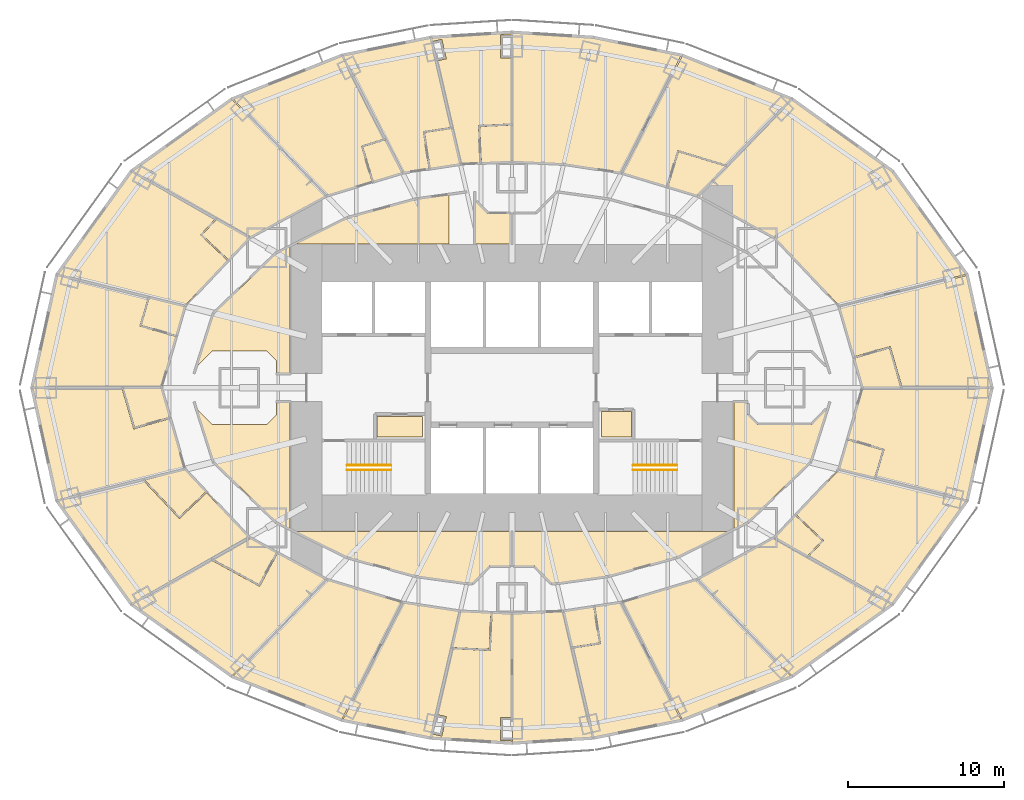
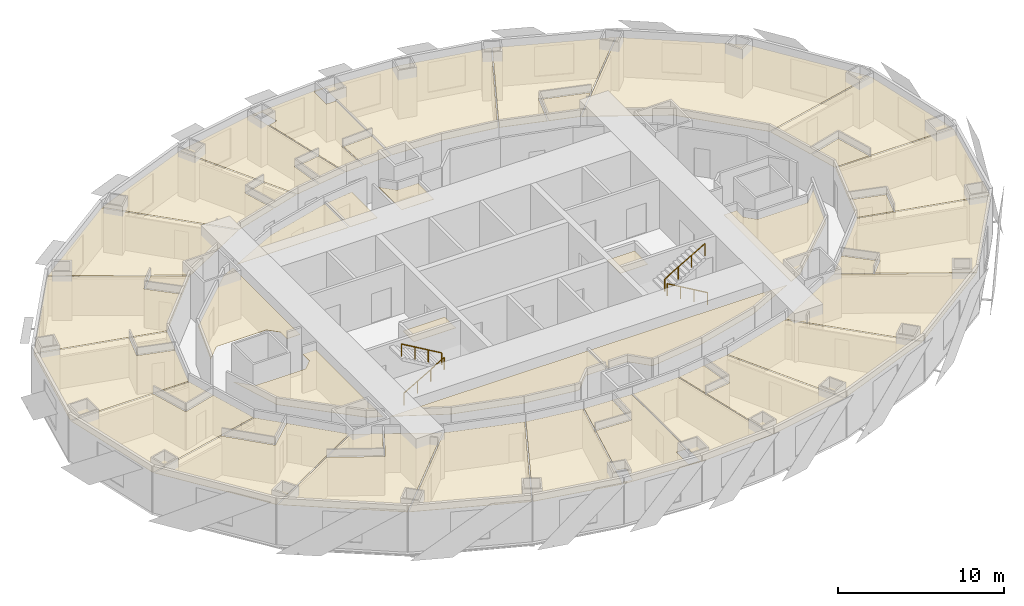
# One storey, part 15 of 15: 46 coverings, 4 railings.
"""IFC4 building model written with IfcOpenShell, lengths in metres."""

import ifcopenshell
import ifcopenshell.guid

model = None  # the IFC model being written
_history = None  # IfcOwnerHistory: only IFC2X3 demands one
_inside = {}  # id of a spatial element -> (the spatial element, [elements in it])
_under = {}  # id of a project, library or spatial element -> (it, [spatial elements below it])
_declared = {}  # id of a project -> (the project, [libraries it declares])
_typed = {}  # id of a type object -> (the type object, [elements of that type])
_made_of = {}  # id of a material, layer set ... -> (it, [elements and type objects made of it])


def new_model(schema):
    """Start an empty IFC model of exactly this schema.

    Asked for "IFC4X3", IfcOpenShell would pick the latest addendum, in which some entities
    have other attributes; the version numbers below select the first issue.
    IFC2X3 requires an IfcOwnerHistory on every rooted entity: one is made here for all.
    """
    global model, _history
    if schema == "IFC4X3":
        model = ifcopenshell.file(schema_version=(4, 3, 0, 0))
    else:
        model = ifcopenshell.file(schema=schema)
    _inside.clear()
    _under.clear()
    _declared.clear()
    _typed.clear()
    _made_of.clear()
    _history = None
    if model.schema == "IFC2X3":
        org = make("IfcOrganization", Name="unknown")
        user = make(
            "IfcPersonAndOrganization",
            ThePerson=make("IfcPerson", FamilyName="unknown"),
            TheOrganization=org,
        )
        app = make(
            "IfcApplication",
            ApplicationDeveloper=org,
            Version="unknown",
            ApplicationFullName="unknown",
            ApplicationIdentifier="unknown",
        )
        _history = make(
            "IfcOwnerHistory",
            OwningUser=user,
            OwningApplication=app,
            ChangeAction="ADDED",
            CreationDate=0,
        )
    return model


def make(cls, **values):
    """One entity of the class cls with the attributes given. An attribute that is None is left unset."""
    return model.create_entity(
        cls, **{name: value for name, value in values.items() if value is not None}
    )


def rooted(cls, **values):
    """An entity with a GlobalId (a new one), such as an element, a storey or a relation."""
    return make(cls, GlobalId=ifcopenshell.guid.new(), OwnerHistory=_history, **values)


def si_unit(unit_type, name, prefix=None):
    """IfcSIUnit, for example si_unit("LENGTHUNIT", "METRE", prefix="MILLI")."""
    return make("IfcSIUnit", UnitType=unit_type, Prefix=prefix, Name=name)


def assignment(units):
    """IfcUnitAssignment: the units of a project."""
    return None if units is None else make("IfcUnitAssignment", Units=units)


def point(xyz):
    """IfcCartesianPoint."""
    return None if xyz is None else make("IfcCartesianPoint", Coordinates=xyz)


def direction(xyz):
    """IfcDirection."""
    return None if xyz is None else make("IfcDirection", DirectionRatios=xyz)


def frame(location, z_axis=None, x_axis=None):
    """IfcAxis2Placement3D, a coordinate frame: its origin and axes. An axis left out is left unset."""
    return make(
        "IfcAxis2Placement3D",
        Location=point(location),
        Axis=direction(z_axis),
        RefDirection=direction(x_axis),
    )


def frame_2d(location, x_axis=None):
    """IfcAxis2Placement2D, a coordinate frame in the plane: its origin and x axis."""
    return make(
        "IfcAxis2Placement2D", Location=point(location), RefDirection=direction(x_axis)
    )


def origin():
    """The frame at (0, 0, 0) with its axes left unset."""
    return frame((0.0, 0.0, 0.0))


def origin_2d():
    """The frame at (0, 0) in the plane with its x axis left unset."""
    return frame_2d((0.0, 0.0))


def place(relative_to, where):
    """IfcLocalPlacement: puts the frame where relative to a parent placement (None: the world)."""
    return make(
        "IfcLocalPlacement", PlacementRelTo=relative_to, RelativePlacement=where
    )


def context(
    kind, dimensions, precision=None, world=None, true_north=None, identifier=None
):
    """IfcGeometricRepresentationContext, for example the 3D "Model" context."""
    return make(
        "IfcGeometricRepresentationContext",
        ContextIdentifier=identifier,
        ContextType=kind,
        CoordinateSpaceDimension=dimensions,
        Precision=precision,
        WorldCoordinateSystem=world,
        TrueNorth=true_north,
    )


def subcontext(parent, identifier, kind, view, scale=None):
    """IfcGeometricRepresentationSubContext, for example "Body" below "Model"."""
    return make(
        "IfcGeometricRepresentationSubContext",
        ContextIdentifier=identifier,
        ContextType=kind,
        ParentContext=parent,
        TargetScale=scale,
        TargetView=view,
    )


def project(units=None, contexts=None):
    """IfcProject with its units and contexts."""
    return rooted(
        "IfcProject",
        Name="project",
        RepresentationContexts=contexts,
        UnitsInContext=assignment(units),
    )


def spatial(cls, under=None, at=None, **own):
    """A site, building, storey or space (cls), placed at a placement, below another one or the project."""
    s = rooted(cls, ObjectPlacement=at, **own)
    if under is not None:
        _under.setdefault(under.id(), (under, []))[1].append(s)
    return s


def polyline(points):
    """IfcPolyline through the points."""
    return make("IfcPolyline", Points=[point(p) for p in points])


def profile(cls, at=None, kind="AREA", **sizes):
    """A parametric profile (cls). Its sizes go by their IFC names, for example OverallWidth=200.0."""
    return make(cls, ProfileType=kind, Position=at, **sizes)


def circle(**sizes):
    """IfcCircleProfileDef."""
    return profile("IfcCircleProfileDef", **sizes)


def outline(outer, holes=None, kind="AREA"):
    """IfcArbitraryClosedProfileDef: a profile drawn as a closed curve; with holes, ...WithVoids."""
    if holes is None:
        return make("IfcArbitraryClosedProfileDef", ProfileType=kind, OuterCurve=outer)
    return make(
        "IfcArbitraryProfileDefWithVoids",
        ProfileType=kind,
        OuterCurve=outer,
        InnerCurves=holes,
    )


def extrude(swept, where, along, depth):
    """IfcExtrudedAreaSolid: the profile swept, set in the frame where, extruded along a direction by depth."""
    return make(
        "IfcExtrudedAreaSolid",
        SweptArea=swept,
        Position=where,
        ExtrudedDirection=direction(along),
        Depth=depth,
    )


def shape(context_of_items, identifier, shape_type, items):
    """IfcShapeRepresentation: the items that make up one representation, for example the "Body"."""
    return make(
        "IfcShapeRepresentation",
        ContextOfItems=context_of_items,
        RepresentationIdentifier=identifier,
        RepresentationType=shape_type,
        Items=items,
    )


def material(Name=None, Category=None):
    """IfcMaterial."""
    return make("IfcMaterial", Name=Name, Category=Category)


def layer(
    of_material, thickness, ventilated=None, Name=None, Category=None, Priority=None
):
    """IfcMaterialLayer: one layer of a wall or slab, of a material (None: an air gap)."""
    return make(
        "IfcMaterialLayer",
        Material=of_material,
        LayerThickness=thickness,
        IsVentilated=ventilated,
        Name=Name,
        Category=Category,
        Priority=Priority,
    )


def layer_set(layers, Name=None):
    """IfcMaterialLayerSet."""
    return make("IfcMaterialLayerSet", MaterialLayers=layers, LayerSetName=Name)


def made_of(thing, what):
    """Note that an element or type object is made of a material, layer set ...; save() writes the relation."""
    if what is not None:
        _made_of.setdefault(what.id(), (what, []))[1].append(thing)
    return thing


def type_object(cls, material=None, **own):
    """A type object (cls), such as IfcWallType, which elements share."""
    return made_of(rooted(cls, **own), material)


def element(
    cls,
    number,
    at=None,
    inside=None,
    cuts=None,
    type_object=None,
    material=None,
    context=None,
    identifier="Body",
    shape_type=None,
    held_by="IfcProductDefinitionShape",
    body=None,
    shapes=None,
    **own,
):
    """One element of the class cls, such as IfcWall. Its Tag is "e" and its number.

    at: its placement. inside: the storey or other place that contains it. cuts: it is an
    opening in that element (IfcRelVoidsElement). A single representation is given by context,
    identifier, shape_type and body (its items); several are given by shapes. held_by: the class
    of the entity that holds the representations. save() writes the other relations.
    """
    e = rooted(cls, Tag="e%d" % number, ObjectPlacement=at, **own)
    if body is not None:
        shapes = [shape(context, identifier, shape_type, body)]
    if shapes is not None:
        e.Representation = make(held_by, Representations=shapes)
    if inside is not None:
        _inside.setdefault(inside.id(), (inside, []))[1].append(e)
    if cuts is not None:
        rooted(
            "IfcRelVoidsElement", RelatingBuildingElement=cuts, RelatedOpeningElement=e
        )
    if type_object is not None:
        _typed.setdefault(type_object.id(), (type_object, []))[1].append(e)
    return made_of(e, material)


def aggregate(whole, parts):
    """IfcRelAggregates: a whole, such as a stair, and the parts it consists of."""
    return rooted("IfcRelAggregates", RelatingObject=whole, RelatedObjects=parts)


def save(model, path):
    """Write the relations noted so far, then the file.

    IfcRelAggregates (storeys below a building ...), IfcRelContainedInSpatialStructure (elements
    in a storey), IfcRelDefinesByType, IfcRelAssociatesMaterial and IfcRelDeclares: one each for
    every whole, place, type object, material and project.
    """
    for whole, parts in _under.values():
        aggregate(whole, parts)
    for where, things in _inside.values():
        rooted(
            "IfcRelContainedInSpatialStructure",
            RelatedElements=things,
            RelatingStructure=where,
        )
    for kind, things in _typed.values():
        rooted("IfcRelDefinesByType", RelatedObjects=things, RelatingType=kind)
    for what, things in _made_of.values():
        rooted("IfcRelAssociatesMaterial", RelatedObjects=things, RelatingMaterial=what)
    for by, libraries in _declared.values():
        rooted("IfcRelDeclares", RelatingContext=by, RelatedDefinitions=libraries)
    model.write(path)


model = new_model("IFC4")

# Units and contexts
model_context = context("Model", 3, precision=1e-05, world=origin(), true_north=direction((0.0, 1.0)))
body_context = subcontext(model_context, "Body", "Model", "MODEL_VIEW")
ifc_project = project(units=[si_unit("LENGTHUNIT", "METRE"), si_unit("AREAUNIT", "SQUARE_METRE"), si_unit("VOLUMEUNIT", "CUBIC_METRE"), si_unit("PLANEANGLEUNIT", "RADIAN"), si_unit("MASSUNIT", "GRAM", prefix="KILO")], contexts=[model_context])

# Site, building, storey
site_placement = place(None, origin())
site = spatial("IfcSite", under=ifc_project, at=site_placement, CompositionType="ELEMENT")
building_placement = place(site_placement, origin())
building = spatial("IfcBuilding", under=site, at=building_placement, Name="Lantaw Convention Tower", CompositionType="ELEMENT")
storey_placement = place(building_placement, frame((0.0, 0.0, 44.199951171875)))
storey = spatial("IfcBuildingStorey", under=building, at=storey_placement, Name="L08", CompositionType="ELEMENT", Elevation=44.199951171875)

# Railings
ifc_material_1 = material(Name="Stainless steel", Category="steel")
railing_type = type_object("IfcRailingType", Name="Stair handrail", PredefinedType="HANDRAIL", material=ifc_material_1)
railing_1_placement = place(storey_placement, frame((-10.580078125, -5.280029296875, 0.16357421875)))
element("IfcRailing", 1, at=railing_1_placement, inside=storey, type_object=railing_type, Name="Stair handrail S1", PredefinedType="HANDRAIL", context=body_context, shape_type="SweptSolid", body=[
    extrude(circle(Radius=0.02392578125, at=origin_2d()), frame((0.0, 0.0, 0.8759765625), z_axis=(0.863360870873, 0.0, 0.504586966384), x_axis=(0.0, 1.0, 0.0)), (0.0, 0.0, 1.0), 3.2431640625),
    extrude(circle(Radius=0.02099609375, at=origin_2d()), origin(), (0.0, 0.0, 1.0), 0.851806640625),
    extrude(circle(Radius=0.02099609375, at=origin_2d()), frame((0.933349609375, 0.0, 0.54541015625)), (0.0, 0.0, 1.0), 0.851806640625),
    extrude(circle(Radius=0.02099609375, at=origin_2d()), frame((1.86669921875, 0.0, 1.091064453125)), (0.0, 0.0, 1.0), 0.851806640625),
    extrude(circle(Radius=0.02099609375, at=origin_2d()), frame((2.800048828125, 0.0, 1.636474609375)), (0.0, 0.0, 1.0), 0.851806640625),
])
for number, where, name in (
    (2, (-7.780029296875, -4.97998046875, 1.963623046875), "Stair handrail S1"),
    (3, (10.580078125, -5.280029296875, 0.16357421875), "Stair handrail S2"),
):
    element("IfcRailing", number, at=place(storey_placement, frame(where)), inside=storey, type_object=railing_type, Name=name, PredefinedType="HANDRAIL", context=body_context, shape_type="SweptSolid", body=[
        extrude(circle(Radius=0.02392578125, at=origin_2d()), frame((0.0, 0.0, 0.8759765625), z_axis=(-0.863360870873, 0.0, 0.504586966384), x_axis=(0.0, -1.0, 0.0)), (0.0, 0.0, 1.0), 3.2431640625),
        extrude(circle(Radius=0.02099609375, at=origin_2d()), origin(), (0.0, 0.0, 1.0), 0.851806640625),
        extrude(circle(Radius=0.02099609375, at=origin_2d()), frame((-0.933349609375, 0.0, 0.54541015625)), (0.0, 0.0, 1.0), 0.851806640625),
        extrude(circle(Radius=0.02099609375, at=origin_2d()), frame((-1.86669921875, 0.0, 1.091064453125)), (0.0, 0.0, 1.0), 0.851806640625),
        extrude(circle(Radius=0.02099609375, at=origin_2d()), frame((-2.800048828125, 0.0, 1.636474609375)), (0.0, 0.0, 1.0), 0.851806640625),
    ])
railing_2_placement = place(storey_placement, frame((7.780029296875, -4.97998046875, 1.963623046875)))
element("IfcRailing", 4, at=railing_2_placement, inside=storey, type_object=railing_type, Name="Stair handrail S2", PredefinedType="HANDRAIL", context=body_context, shape_type="SweptSolid", body=[
    extrude(circle(Radius=0.02392578125, at=origin_2d()), frame((0.0, 0.0, 0.8759765625), z_axis=(0.863360870873, 0.0, 0.504586966384), x_axis=(0.0, 1.0, 0.0)), (0.0, 0.0, 1.0), 3.2431640625),
    extrude(circle(Radius=0.02099609375, at=origin_2d()), origin(), (0.0, 0.0, 1.0), 0.851806640625),
    extrude(circle(Radius=0.02099609375, at=origin_2d()), frame((0.933349609375, 0.0, 0.54541015625)), (0.0, 0.0, 1.0), 0.851806640625),
    extrude(circle(Radius=0.02099609375, at=origin_2d()), frame((1.86669921875, 0.0, 1.091064453125)), (0.0, 0.0, 1.0), 0.851806640625),
    extrude(circle(Radius=0.02099609375, at=origin_2d()), frame((2.800048828125, 0.0, 1.636474609375)), (0.0, 0.0, 1.0), 0.851806640625),
])

# Coverings
ifc_material_2 = material(Name="Gypsum board on steel suspension grid", Category="steel")
ifc_layer = layer(ifc_material_2, 0.02001953125)
ifc_layer_set = layer_set([ifc_layer], Name="Suspended ceiling")
covering_type = type_object("IfcCoveringType", Name="Suspended ceiling", PredefinedType="CEILING", material=ifc_layer_set)
covering_1_placement = place(storey_placement, frame((0.0, 0.0, 2.85009765625)))
element("IfcCovering", 5, at=covering_1_placement, inside=storey, type_object=covering_type, Name="IT and comms room ceiling", PredefinedType="CEILING", context=body_context, shape_type="SweptSolid", body=[
    extrude(outline(polyline([(-8.659912109375, -3.159912109375), (-5.739990234375, -3.159912109375), (-5.739990234375, -1.840087890625), (-8.659912109375, -1.840087890625), (-8.659912109375, -3.159912109375)])), origin(), (0.0, 0.0, 1.0), 0.02001953125),
])
covering_2_placement = place(storey_placement, frame((0.0, 0.0, 2.85009765625)))
element("IfcCovering", 6, at=covering_2_placement, inside=storey, type_object=covering_type, Name="Staff WC ceiling", PredefinedType="CEILING", context=body_context, shape_type="SweptSolid", body=[
    extrude(outline(polyline([(5.739990234375, -3.159912109375), (7.659912109375, -3.159912109375), (7.659912109375, -1.5400390625), (5.739990234375, -1.5400390625), (5.739990234375, -3.159912109375)])), origin(), (0.0, 0.0, 1.0), 0.02001953125),
])
covering_3_placement = place(storey_placement, frame((0.0, 0.0, 2.85009765625)))
element("IfcCovering", 7, at=covering_3_placement, inside=storey, type_object=covering_type, Name="Accessible WC ceiling", PredefinedType="CEILING", context=body_context, shape_type="SweptSolid", body=[
    extrude(outline(polyline([(-2.360107421875, 9.239990234375), (-0.114990234375, 9.239990234375), (-0.114990234375, 11.175048828125), (-1.548828125, 11.175048828125), (-2.324951171875, 11.951171875), (-2.324951171875, 11.963134765625), (-2.360107421875, 11.998046875), (-2.360107421875, 9.239990234375)])), origin(), (0.0, 0.0, 1.0), 0.02001953125),
])
covering_4_placement = place(storey_placement, frame((0.0, 0.0, 2.85009765625)))
element("IfcCovering", 8, at=covering_4_placement, inside=storey, type_object=covering_type, Name="Housekeeping pantry ceiling", PredefinedType="CEILING", context=body_context, shape_type="SweptSolid", body=[
    extrude(outline(polyline([(-5.9599609375, 9.239990234375), (-4.0400390625, 9.239990234375), (-4.0400390625, 12.376708984375), (-5.9599609375, 12.111083984375), (-5.9599609375, 9.239990234375)])), origin(), (0.0, 0.0, 1.0), 0.02001953125),
])
covering_5_placement = place(storey_placement, frame((0.0, 0.0, 2.85009765625)))
element("IfcCovering", 9, at=covering_5_placement, inside=storey, type_object=covering_type, Name="Housekeeping room ceiling", PredefinedType="CEILING", context=body_context, shape_type="SweptSolid", body=[
    extrude(outline(polyline([(-13.87451171875, 9.239990234375), (-6.050048828125, 9.239990234375), (-6.050048828125, 12.0986328125), (-6.168212890625, 12.082275390625), (-10.537109375, 10.888671875), (-13.87451171875, 9.239990234375)])), origin(), (0.0, 0.0, 1.0), 0.02001953125),
])
covering_6_placement = place(storey_placement, frame((0.0, 0.0, 2.85009765625)))
element("IfcCovering", 10, at=covering_6_placement, inside=storey, type_object=covering_type, Name="Housekeeping room ceiling", PredefinedType="CEILING", context=body_context, shape_type="SweptSolid", body=[
    extrude(outline(polyline([(-19.864990234375, 1.72900390625), (-19.864990234375, 1.7412109375), (-19.2412109375, 2.364990234375), (-15.7587890625, 2.364990234375), (-15.135009765625, 1.7412109375), (-15.135009765625, 0.93994140625), (-14.239990234375, 0.93994140625), (-14.239990234375, 9.0595703125), (-15.124267578125, 8.62255859375), (-19.141845703125, 4.759521484375), (-20.22021484375, 1.37451171875), (-19.864990234375, 1.72900390625)])), origin(), (0.0, 0.0, 1.0), 0.02001953125),
])
covering_7_placement = place(storey_placement, frame((0.0, 0.0, 2.85009765625)))
element("IfcCovering", 11, at=covering_7_placement, inside=storey, type_object=covering_type, Name="Staff room ceiling", PredefinedType="CEILING", context=body_context, shape_type="SweptSolid", body=[
    extrude(outline(polyline([(-10.537109375, -10.888671875), (-6.168212890625, -12.082275390625), (-2.8994140625, -12.53466796875), (-2.544677734375, -12.550048828125), (-2.06494140625, -12.071044921875), (-2.06494140625, -12.058837890625), (-1.441162109375, -11.43505859375), (-0.0400390625, -11.43505859375), (-0.0400390625, -9.239990234375), (-13.87451171875, -9.239990234375), (-10.537109375, -10.888671875)])), origin(), (0.0, 0.0, 1.0), 0.02001953125),
])
covering_8_placement = place(storey_placement, frame((0.0, 0.0, 2.85009765625)))
element("IfcCovering", 12, at=covering_8_placement, inside=storey, type_object=covering_type, Name="Staff room ceiling", PredefinedType="CEILING", context=body_context, shape_type="SweptSolid", body=[
    extrude(outline(polyline([(-19.864990234375, -1.7412109375), (-19.864990234375, -1.72900390625), (-20.22021484375, -1.37451171875), (-19.141845703125, -4.759521484375), (-15.124267578125, -8.62255859375), (-14.239990234375, -9.0595703125), (-14.239990234375, -0.93994140625), (-15.135009765625, -0.93994140625), (-15.135009765625, -1.7412109375), (-15.7587890625, -2.364990234375), (-19.2412109375, -2.364990234375), (-19.864990234375, -1.7412109375)])), origin(), (0.0, 0.0, 1.0), 0.02001953125),
])
covering_9_placement = place(storey_placement, frame((0.0, 0.0, 2.85009765625)))
element("IfcCovering", 13, at=covering_9_placement, inside=storey, type_object=covering_type, Name="Room service pantry ceiling", PredefinedType="CEILING", context=body_context, shape_type="SweptSolid", body=[
    extrude(outline(polyline([(2.06494140625, -12.071044921875), (2.544677734375, -12.550048828125), (2.8994140625, -12.53466796875), (6.168212890625, -12.082275390625), (10.537109375, -10.888671875), (13.87451171875, -9.239990234375), (0.0400390625, -9.239990234375), (0.0400390625, -11.43505859375), (1.441162109375, -11.43505859375), (2.06494140625, -12.058837890625), (2.06494140625, -12.071044921875)])), origin(), (0.0, 0.0, 1.0), 0.02001953125),
])
covering_10_placement = place(storey_placement, frame((0.0, 0.0, 2.85009765625)))
element("IfcCovering", 14, at=covering_10_placement, inside=storey, type_object=covering_type, Name="Room service pantry ceiling", PredefinedType="CEILING", context=body_context, shape_type="SweptSolid", body=[
    extrude(outline(polyline([(14.239990234375, -0.93994140625), (14.239990234375, -9.0595703125), (15.124267578125, -8.62255859375), (19.141845703125, -4.759521484375), (20.22021484375, -1.37451171875), (19.864990234375, -1.72900390625), (19.864990234375, -1.7412109375), (19.2412109375, -2.364990234375), (15.7587890625, -2.364990234375), (15.135009765625, -1.7412109375), (15.135009765625, -0.93994140625), (14.239990234375, -0.93994140625)])), origin(), (0.0, 0.0, 1.0), 0.02001953125),
])
covering_11_placement = place(storey_placement, frame((0.0, 0.0, 2.85009765625)))
element("IfcCovering", 15, at=covering_11_placement, inside=storey, type_object=covering_type, Name="Suite bathroom ceiling", PredefinedType="CEILING", context=body_context, shape_type="SweptSolid", body=[
    extrude(outline(polyline([(22.530029296875, 0.0400390625), (24.945556640625, 0.0400390625), (24.221435546875, 2.539306640625), (21.992919921875, 1.893798828125), (22.530029296875, 0.0400390625)])), origin(), (0.0, 0.0, 1.0), 0.02001953125),
])
covering_12_placement = place(storey_placement, frame((0.0, 0.0, 2.85009765625)))
element("IfcCovering", 16, at=covering_12_placement, inside=storey, type_object=covering_type, Name="Suite bedroom ceiling", PredefinedType="CEILING", context=body_context, shape_type="SweptSolid", body=[
    extrude(outline(polyline([(29.191650390625, 7.205078125), (21.0341796875, 5.203125), (21.967529296875, 1.982177734375), (24.2841796875, 2.6533203125), (25.041259765625, 0.0400390625), (30.77099609375, 0.0400390625), (29.191650390625, 7.205078125)])), origin(), (0.0, 0.0, 1.0), 0.02001953125),
])
covering_13_placement = place(storey_placement, frame((0.0, 0.0, 2.85009765625)))
element("IfcCovering", 17, at=covering_13_placement, inside=storey, type_object=covering_type, Name="Suite living room ceiling", PredefinedType="CEILING", context=body_context, shape_type="SweptSolid", body=[
    extrude(outline(polyline([(20.997314453125, 5.2763671875), (29.155029296875, 7.2783203125), (24.406005859375, 13.880126953125), (17.97509765625, 18.4892578125), (11.953857421875, 12.320556640625), (16.859619140625, 9.652099609375), (20.997314453125, 5.2763671875)])), origin(), (0.0, 0.0, 1.0), 0.02001953125),
])
covering_14_placement = place(storey_placement, frame((0.0, 0.0, 2.85009765625)))
element("IfcCovering", 18, at=covering_14_placement, inside=storey, type_object=covering_type, Name="Suite bathroom ceiling", PredefinedType="CEILING", context=body_context, shape_type="SweptSolid", body=[
    extrude(outline(polyline([(11.87646484375, 12.35595703125), (13.689208984375, 14.233154296875), (10.691650390625, 15.135498046875), (10.02294921875, 12.9140625), (11.87646484375, 12.35595703125)])), origin(), (0.0, 0.0, 1.0), 0.02001953125),
])
covering_15_placement = place(storey_placement, frame((0.0, 0.0, 2.85009765625)))
element("IfcCovering", 19, at=covering_15_placement, inside=storey, type_object=covering_type, Name="Suite bedroom ceiling", PredefinedType="CEILING", context=body_context, shape_type="SweptSolid", body=[
    extrude(outline(polyline([(7.076904296875, 13.80078125), (9.946533203125, 12.93701171875), (10.63818359375, 15.235107421875), (13.767578125, 14.293212890625), (17.89990234375, 18.526611328125), (10.930908203125, 21.294921875), (7.076904296875, 13.80078125)])), origin(), (0.0, 0.0, 1.0), 0.02001953125),
])
covering_16_placement = place(storey_placement, frame((0.0, 0.0, 2.85009765625)))
element("IfcCovering", 20, at=covering_16_placement, inside=storey, type_object=covering_type, Name="Suite living room ceiling", PredefinedType="CEILING", context=body_context, shape_type="SweptSolid", body=[
    extrude(outline(polyline([(6.9970703125, 13.8203125), (10.852294921875, 21.31689453125), (5.20556640625, 22.456298828125), (0.0400390625, 22.781982421875), (0.0400390625, 14.5380859375), (3.315185546875, 14.382080078125), (6.9970703125, 13.8203125)])), origin(), (0.0, 0.0, 1.0), 0.02001953125),
])
covering_17_placement = place(storey_placement, frame((0.0, 0.0, 2.85009765625)))
element("IfcCovering", 21, at=covering_17_placement, inside=storey, type_object=covering_type, Name="Guest bathroom ceiling", PredefinedType="CEILING", context=body_context, shape_type="SweptSolid", body=[
    extrude(outline(polyline([(-0.0400390625, 14.5380859375), (-0.0400390625, 16.86083984375), (-2.070068359375, 16.763916015625), (-1.959716796875, 14.446533203125), (-0.0400390625, 14.5380859375)])), origin(), (0.0, 0.0, 1.0), 0.02001953125),
])
covering_18_placement = place(storey_placement, frame((0.0, 0.0, 2.85009765625)))
element("IfcCovering", 22, at=covering_18_placement, inside=storey, type_object=covering_type, Name="Guest room ceiling", PredefinedType="CEILING", context=body_context, shape_type="SweptSolid", body=[
    extrude(outline(polyline([(-4.816650390625, 20.98046875), (-3.27978515625, 14.3837890625), (-2.03955078125, 14.44287109375), (-2.15380859375, 16.840087890625), (-0.0400390625, 16.94091796875), (-0.0400390625, 21.159912109375), (-0.739990234375, 21.159912109375), (-0.739990234375, 22.639892578125), (-0.0400390625, 22.639892578125), (-0.0400390625, 22.781982421875), (-5.1611328125, 22.458984375), (-5.107177734375, 22.22705078125), (-4.506591796875, 22.365478515625), (-4.21875, 21.118408203125), (-4.816650390625, 20.98046875)])), origin(), (0.0, 0.0, 1.0), 0.02001953125),
])
covering_19_placement = place(storey_placement, frame((0.0, 0.0, 2.85009765625)))
element("IfcCovering", 23, at=covering_19_placement, inside=storey, type_object=covering_type, Name="Guest bathroom ceiling", PredefinedType="CEILING", context=body_context, shape_type="SweptSolid", body=[
    extrude(outline(polyline([(-3.35986328125, 14.375244140625), (-3.88330078125, 16.64208984375), (-5.604736328125, 16.37939453125), (-5.254638671875, 14.0859375), (-3.35986328125, 14.375244140625)])), origin(), (0.0, 0.0, 1.0), 0.02001953125),
])
covering_20_placement = place(storey_placement, frame((0.0, 0.0, 2.85009765625)))
element("IfcCovering", 24, at=covering_20_placement, inside=storey, type_object=covering_type, Name="Guest room ceiling", PredefinedType="CEILING", context=body_context, shape_type="SweptSolid", body=[
    extrude(outline(polyline([(-6.9970703125, 13.8203125), (-5.333740234375, 14.073974609375), (-5.69580078125, 16.446533203125), (-3.906005859375, 16.719482421875), (-5.240966796875, 22.448974609375), (-10.852294921875, 21.31689453125), (-6.9970703125, 13.8203125)])), origin(), (0.0, 0.0, 1.0), 0.02001953125),
])
covering_21_placement = place(storey_placement, frame((0.0, 0.0, 2.85009765625)))
element("IfcCovering", 25, at=covering_21_placement, inside=storey, type_object=covering_type, Name="Suite bathroom ceiling", PredefinedType="CEILING", context=body_context, shape_type="SweptSolid", body=[
    extrude(outline(polyline([(-7.07666015625, 13.80078125), (-8.14697265625, 15.9013671875), (-9.576416015625, 15.47119140625), (-8.90771484375, 13.249755859375), (-7.07666015625, 13.80078125)])), origin(), (0.0, 0.0, 1.0), 0.02001953125),
])
covering_22_placement = place(storey_placement, frame((0.0, 0.0, 2.85009765625)))
element("IfcCovering", 26, at=covering_22_placement, inside=storey, type_object=covering_type, Name="Suite bedroom ceiling", PredefinedType="CEILING", context=body_context, shape_type="SweptSolid", body=[
    extrude(outline(polyline([(-11.876708984375, 12.35595703125), (-8.984375, 13.2265625), (-9.676025390625, 15.524658203125), (-8.193115234375, 15.97119140625), (-10.930908203125, 21.294921875), (-17.89990234375, 18.526611328125), (-11.876708984375, 12.35595703125)])), origin(), (0.0, 0.0, 1.0), 0.02001953125),
])
covering_23_placement = place(storey_placement, frame((0.0, 0.0, 2.85009765625)))
element("IfcCovering", 27, at=covering_23_placement, inside=storey, type_object=covering_type, Name="Suite living room ceiling", PredefinedType="CEILING", context=body_context, shape_type="SweptSolid", body=[
    extrude(outline(polyline([(-11.953857421875, 12.320556640625), (-17.97509765625, 18.4892578125), (-24.3603515625, 13.912841796875), (-16.834716796875, 9.665771484375), (-11.953857421875, 12.320556640625)])), origin(), (0.0, 0.0, 1.0), 0.02001953125),
])
covering_24_placement = place(storey_placement, frame((0.0, 0.0, 2.85009765625)))
element("IfcCovering", 28, at=covering_24_placement, inside=storey, type_object=covering_type, Name="Guest bathroom ceiling", PredefinedType="CEILING", context=body_context, shape_type="SweptSolid", body=[
    extrude(outline(polyline([(-16.89892578125, 9.610595703125), (-18.971923828125, 10.794921875), (-19.896484375, 9.8173828125), (-18.210693359375, 8.223388671875), (-16.89892578125, 9.610595703125)])), origin(), (0.0, 0.0, 1.0), 0.02001953125),
])
covering_25_placement = place(storey_placement, frame((0.0, 0.0, 2.85009765625)))
element("IfcCovering", 29, at=covering_25_placement, inside=storey, type_object=covering_type, Name="Guest room ceiling", PredefinedType="CEILING", context=body_context, shape_type="SweptSolid", body=[
    extrude(outline(polyline([(-20.997314453125, 5.2763671875), (-18.265625, 8.165283203125), (-20.009521484375, 9.814208984375), (-19.052978515625, 10.82568359375), (-24.423095703125, 13.8564453125), (-29.155029296875, 7.2783203125), (-20.997314453125, 5.2763671875)])), origin(), (0.0, 0.0, 1.0), 0.02001953125),
])
covering_26_placement = place(storey_placement, frame((0.0, 0.0, 2.85009765625)))
element("IfcCovering", 30, at=covering_26_placement, inside=storey, type_object=covering_type, Name="Guest bathroom ceiling", PredefinedType="CEILING", context=body_context, shape_type="SweptSolid", body=[
    extrude(outline(polyline([(-21.0341796875, 5.203125), (-23.286865234375, 5.764892578125), (-23.79638671875, 4.006103515625), (-21.568115234375, 3.360595703125), (-21.0341796875, 5.203125)])), origin(), (0.0, 0.0, 1.0), 0.02001953125),
])
covering_27_placement = place(storey_placement, frame((0.0, 0.0, 2.85009765625)))
element("IfcCovering", 31, at=covering_27_placement, inside=storey, type_object=covering_type, Name="Guest room ceiling", PredefinedType="CEILING", context=body_context, shape_type="SweptSolid", body=[
    extrude(outline(polyline([(-22.530029296875, 0.0400390625), (-21.59033203125, 3.28369140625), (-23.8955078125, 3.951416015625), (-23.3671875, 5.775634765625), (-29.191650390625, 7.205078125), (-30.77099609375, 0.0400390625), (-22.530029296875, 0.0400390625)])), origin(), (0.0, 0.0, 1.0), 0.02001953125),
])
covering_28_placement = place(storey_placement, frame((0.0, 0.0, 2.85009765625)))
element("IfcCovering", 32, at=covering_28_placement, inside=storey, type_object=covering_type, Name="Guest bathroom ceiling", PredefinedType="CEILING", context=body_context, shape_type="SweptSolid", body=[
    extrude(outline(polyline([(-22.530029296875, -0.0400390625), (-24.945556640625, -0.0400390625), (-24.221435546875, -2.539306640625), (-21.992919921875, -1.893798828125), (-22.530029296875, -0.0400390625)])), origin(), (0.0, 0.0, 1.0), 0.02001953125),
])
covering_29_placement = place(storey_placement, frame((0.0, 0.0, 2.85009765625)))
element("IfcCovering", 33, at=covering_29_placement, inside=storey, type_object=covering_type, Name="Guest room ceiling", PredefinedType="CEILING", context=body_context, shape_type="SweptSolid", body=[
    extrude(outline(polyline([(-21.0341796875, -5.203125), (-21.967529296875, -1.982177734375), (-24.2841796875, -2.6533203125), (-25.041259765625, -0.0400390625), (-30.77099609375, -0.0400390625), (-29.191650390625, -7.205078125), (-21.0341796875, -5.203125)])), origin(), (0.0, 0.0, 1.0), 0.02001953125),
])
covering_30_placement = place(storey_placement, frame((0.0, 0.0, 2.85009765625)))
element("IfcCovering", 34, at=covering_30_placement, inside=storey, type_object=covering_type, Name="Guest bathroom ceiling", PredefinedType="CEILING", context=body_context, shape_type="SweptSolid", body=[
    extrude(outline(polyline([(-20.997314453125, -5.2763671875), (-23.5810546875, -5.920654296875), (-21.352294921875, -8.277587890625), (-19.666748046875, -6.68359375), (-20.997314453125, -5.2763671875)])), origin(), (0.0, 0.0, 1.0), 0.02001953125),
])
covering_31_placement = place(storey_placement, frame((0.0, 0.0, 2.85009765625)))
element("IfcCovering", 35, at=covering_31_placement, inside=storey, type_object=covering_type, Name="Guest room ceiling", PredefinedType="CEILING", context=body_context, shape_type="SweptSolid", body=[
    extrude(outline(polyline([(-16.899169921875, -9.6103515625), (-19.603515625, -6.75048828125), (-21.35595703125, -8.40771484375), (-23.691650390625, -5.9375), (-29.155029296875, -7.2783203125), (-24.423095703125, -13.8564453125), (-16.899169921875, -9.6103515625)])), origin(), (0.0, 0.0, 1.0), 0.02001953125),
])
covering_32_placement = place(storey_placement, frame((0.0, 0.0, 2.85009765625)))
element("IfcCovering", 36, at=covering_32_placement, inside=storey, type_object=covering_type, Name="Suite bathroom ceiling", PredefinedType="CEILING", context=body_context, shape_type="SweptSolid", body=[
    extrude(outline(polyline([(-16.83447265625, -9.665771484375), (-19.202392578125, -11.018798828125), (-16.240966796875, -12.629638671875), (-15.13232421875, -10.591796875), (-16.83447265625, -9.665771484375)])), origin(), (0.0, 0.0, 1.0), 0.02001953125),
])
covering_33_placement = place(storey_placement, frame((0.0, 0.0, 2.85009765625)))
element("IfcCovering", 37, at=covering_33_placement, inside=storey, type_object=covering_type, Name="Suite bedroom ceiling", PredefinedType="CEILING", context=body_context, shape_type="SweptSolid", body=[
    extrude(outline(polyline([(-19.31201171875, -11.06396484375), (-24.3603515625, -13.912841796875), (-17.97509765625, -18.4892578125), (-11.953857421875, -12.320556640625), (-15.051513671875, -10.6357421875), (-16.2041015625, -12.75439453125), (-19.31201171875, -11.06396484375)])), origin(), (0.0, 0.0, 1.0), 0.02001953125),
])
covering_34_placement = place(storey_placement, frame((0.0, 0.0, 2.85009765625)))
element("IfcCovering", 38, at=covering_34_placement, inside=storey, type_object=covering_type, Name="Suite living room ceiling", PredefinedType="CEILING", context=body_context, shape_type="SweptSolid", body=[
    extrude(outline(polyline([(-11.876708984375, -12.35595703125), (-17.89990234375, -18.526611328125), (-10.930908203125, -21.294921875), (-7.076904296875, -13.80078125), (-11.876708984375, -12.35595703125)])), origin(), (0.0, 0.0, 1.0), 0.02001953125),
])
covering_35_placement = place(storey_placement, frame((0.0, 0.0, 2.85009765625)))
element("IfcCovering", 39, at=covering_35_placement, inside=storey, type_object=covering_type, Name="Suite kitchenette and dining room ceiling", PredefinedType="CEILING", context=body_context, shape_type="SweptSolid", body=[
    extrude(outline(polyline([(-6.9970703125, -13.8203125), (-10.852294921875, -21.31689453125), (-5.240966796875, -22.448974609375), (-3.35986328125, -14.375244140625), (-6.9970703125, -13.8203125)])), origin(), (0.0, 0.0, 1.0), 0.02001953125),
])
covering_36_placement = place(storey_placement, frame((0.0, 0.0, 2.85009765625)))
element("IfcCovering", 40, at=covering_36_placement, inside=storey, type_object=covering_type, Name="Suite bathroom ceiling", PredefinedType="CEILING", context=body_context, shape_type="SweptSolid", body=[
    extrude(outline(polyline([(-3.27978515625, -14.3837890625), (-3.81005859375, -16.680908203125), (-1.4658203125, -16.792724609375), (-1.355224609375, -14.475341796875), (-3.27978515625, -14.3837890625)])), origin(), (0.0, 0.0, 1.0), 0.02001953125),
])
covering_37_placement = place(storey_placement, frame((0.0, 0.0, 2.85009765625)))
element("IfcCovering", 41, at=covering_37_placement, inside=storey, type_object=covering_type, Name="Suite bedroom ceiling", PredefinedType="CEILING", context=body_context, shape_type="SweptSolid", body=[
    extrude(outline(polyline([(-3.83349609375, -16.760009765625), (-4.816650390625, -20.98046875), (-4.21875, -21.118408203125), (-4.506591796875, -22.365478515625), (-5.107177734375, -22.22705078125), (-5.1611328125, -22.458984375), (-0.0400390625, -22.781982421875), (-0.0400390625, -22.639892578125), (-0.739990234375, -22.639892578125), (-0.739990234375, -21.159912109375), (-0.0400390625, -21.159912109375), (-0.0400390625, -14.5380859375), (-1.275390625, -14.479248046875), (-1.3896484375, -16.87646484375), (-3.83349609375, -16.760009765625)])), origin(), (0.0, 0.0, 1.0), 0.02001953125),
])
covering_38_placement = place(storey_placement, frame((0.0, 0.0, 2.85009765625)))
element("IfcCovering", 42, at=covering_38_placement, inside=storey, type_object=covering_type, Name="Suite living room ceiling", PredefinedType="CEILING", context=body_context, shape_type="SweptSolid", body=[
    extrude(outline(polyline([(0.0400390625, -14.5380859375), (0.0400390625, -22.781982421875), (5.1611328125, -22.458984375), (3.27978515625, -14.3837890625), (0.0400390625, -14.5380859375)])), origin(), (0.0, 0.0, 1.0), 0.02001953125),
])
covering_39_placement = place(storey_placement, frame((0.0, 0.0, 2.85009765625)))
element("IfcCovering", 43, at=covering_39_placement, inside=storey, type_object=covering_type, Name="Suite bathroom ceiling", PredefinedType="CEILING", context=body_context, shape_type="SweptSolid", body=[
    extrude(outline(polyline([(3.35986328125, -14.375244140625), (3.88330078125, -16.64208984375), (5.604736328125, -16.37939453125), (5.254638671875, -14.0859375), (3.35986328125, -14.375244140625)])), origin(), (0.0, 0.0, 1.0), 0.02001953125),
])
covering_40_placement = place(storey_placement, frame((0.0, 0.0, 2.85009765625)))
element("IfcCovering", 44, at=covering_40_placement, inside=storey, type_object=covering_type, Name="Suite bedroom ceiling", PredefinedType="CEILING", context=body_context, shape_type="SweptSolid", body=[
    extrude(outline(polyline([(6.9970703125, -13.8203125), (5.333740234375, -14.073974609375), (5.69580078125, -16.446533203125), (3.906005859375, -16.719482421875), (5.240966796875, -22.448974609375), (10.852294921875, -21.31689453125), (6.9970703125, -13.8203125)])), origin(), (0.0, 0.0, 1.0), 0.02001953125),
])
covering_41_placement = place(storey_placement, frame((0.0, 0.0, 2.85009765625)))
element("IfcCovering", 45, at=covering_41_placement, inside=storey, type_object=covering_type, Name="Suite living room ceiling", PredefinedType="CEILING", context=body_context, shape_type="SweptSolid", body=[
    extrude(outline(polyline([(7.076904296875, -13.80078125), (10.930908203125, -21.294921875), (17.89990234375, -18.526611328125), (11.876708984375, -12.35595703125), (7.076904296875, -13.80078125)])), origin(), (0.0, 0.0, 1.0), 0.02001953125),
])
covering_42_placement = place(storey_placement, frame((0.0, 0.0, 2.85009765625)))
element("IfcCovering", 46, at=covering_42_placement, inside=storey, type_object=covering_type, Name="Suite kitchenette and dining room ceiling", PredefinedType="CEILING", context=body_context, shape_type="SweptSolid", body=[
    extrude(outline(polyline([(11.953857421875, -12.320556640625), (17.97509765625, -18.4892578125), (24.3603515625, -13.912841796875), (16.834716796875, -9.665771484375), (11.953857421875, -12.320556640625)])), origin(), (0.0, 0.0, 1.0), 0.02001953125),
])
covering_43_placement = place(storey_placement, frame((0.0, 0.0, 2.85009765625)))
element("IfcCovering", 47, at=covering_43_placement, inside=storey, type_object=covering_type, Name="Guest bathroom ceiling", PredefinedType="CEILING", context=body_context, shape_type="SweptSolid", body=[
    extrude(outline(polyline([(16.89892578125, -9.610595703125), (18.971923828125, -10.794921875), (19.896484375, -9.8173828125), (18.210693359375, -8.223388671875), (16.89892578125, -9.610595703125)])), origin(), (0.0, 0.0, 1.0), 0.02001953125),
])
covering_44_placement = place(storey_placement, frame((0.0, 0.0, 2.85009765625)))
element("IfcCovering", 48, at=covering_44_placement, inside=storey, type_object=covering_type, Name="Guest room ceiling", PredefinedType="CEILING", context=body_context, shape_type="SweptSolid", body=[
    extrude(outline(polyline([(20.997314453125, -5.2763671875), (18.265625, -8.165283203125), (20.009521484375, -9.814208984375), (19.052978515625, -10.82568359375), (24.423095703125, -13.8564453125), (29.155029296875, -7.2783203125), (20.997314453125, -5.2763671875)])), origin(), (0.0, 0.0, 1.0), 0.02001953125),
])
covering_45_placement = place(storey_placement, frame((0.0, 0.0, 2.85009765625)))
element("IfcCovering", 49, at=covering_45_placement, inside=storey, type_object=covering_type, Name="Guest bathroom ceiling", PredefinedType="CEILING", context=body_context, shape_type="SweptSolid", body=[
    extrude(outline(polyline([(21.0341796875, -5.203125), (23.286865234375, -5.764892578125), (23.79638671875, -4.006103515625), (21.568115234375, -3.360595703125), (21.0341796875, -5.203125)])), origin(), (0.0, 0.0, 1.0), 0.02001953125),
])
covering_46_placement = place(storey_placement, frame((0.0, 0.0, 2.85009765625)))
element("IfcCovering", 50, at=covering_46_placement, inside=storey, type_object=covering_type, Name="Guest room ceiling", PredefinedType="CEILING", context=body_context, shape_type="SweptSolid", body=[
    extrude(outline(polyline([(22.530029296875, -0.0400390625), (21.59033203125, -3.28369140625), (23.8955078125, -3.951416015625), (23.3671875, -5.775634765625), (29.191650390625, -7.205078125), (30.77099609375, -0.0400390625), (22.530029296875, -0.0400390625)])), origin(), (0.0, 0.0, 1.0), 0.02001953125),
])

save(model, "model.ifc")
